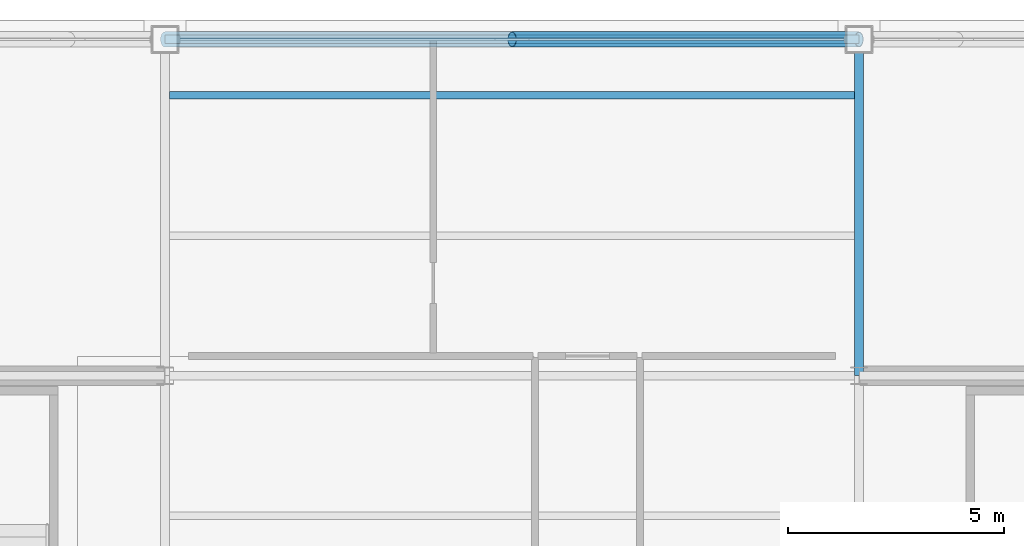
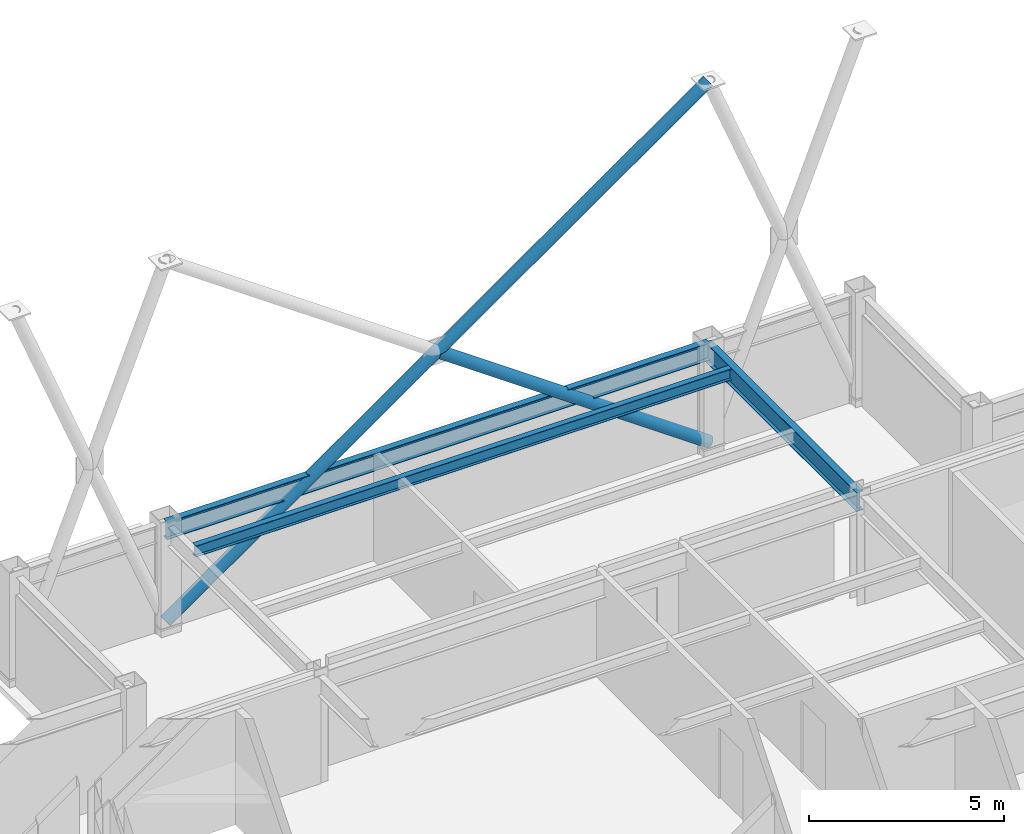
# One storey, part 17 of 24: 3 beams, 3 members, 1 element without a shape of its own.
"""IFC4 building model written with IfcOpenShell, lengths in metres."""

from ifc_helpers import new_model, si_unit, direction, frame, origin, origin_2d, place, context, subcontext, project, spatial, hollow_rectangle, hollow_circle, i_section, extrude, material, layer, layer_set, material_profile, profile_set, type_object, element, aggregate, save


model = new_model("IFC4")

# Units and contexts
model_context = context("Model", 3, precision=1e-05, world=origin(), true_north=direction((0.0, 1.0)))
body_context = subcontext(model_context, "Body", "Model", "MODEL_VIEW")
ifc_project = project(units=[si_unit("LENGTHUNIT", "METRE"), si_unit("AREAUNIT", "SQUARE_METRE"), si_unit("VOLUMEUNIT", "CUBIC_METRE"), si_unit("PLANEANGLEUNIT", "RADIAN"), si_unit("MASSUNIT", "GRAM", prefix="KILO")], contexts=[model_context])

# Site, building, storey
site_placement = place(None, origin())
site = spatial("IfcSite", under=ifc_project, at=site_placement, CompositionType="ELEMENT")
building_placement = place(site_placement, origin())
building = spatial("IfcBuilding", under=site, at=building_placement, Name="Brelmoor Portico Tower", CompositionType="ELEMENT")
storey_placement = place(building_placement, frame((0.0, 0.0, 268.800048828125)))
storey = spatial("IfcBuildingStorey", under=building, at=storey_placement, Name="L71", CompositionType="ELEMENT", Elevation=268.800048828125)

# Beams
ifc_material_1 = material(Name="Steel Q355B", Category="steel")
ifc_material_profile_1 = material_profile(ifc_material_1, i_section(OverallWidth=0.175048828125, OverallDepth=0.35009765625, WebThickness=0.007080078125, FlangeThickness=0.010986328125, at=origin_2d()), Name="HN 350x175x7x11")
ifc_profile_set_1 = profile_set([ifc_material_profile_1], Name="Steel Q355B")
beam_type_1 = type_object("IfcBeamType", Name="BM-JS-350", PredefinedType="JOIST", material=ifc_profile_set_1)
beam_1_placement = place(storey_placement, frame((-7.949951171875, 16.25, 3.224853515625), z_axis=(1.0, 0.0, 0.0), x_axis=(0.0, 1.0, 0.0)))
element("IfcBeam", 1, at=beam_1_placement, inside=storey, type_object=beam_type_1, Name="L71 Secondary Composite Joist JS-C06", PredefinedType="JOIST", context=body_context, shape_type="SweptSolid", body=[
    extrude(i_section(OverallWidth=0.175048828125, OverallDepth=0.35009765625, WebThickness=0.007080078125, FlangeThickness=0.010986328125, at=origin_2d()), origin(), (0.0, 0.0, 1.0), 15.89990234375),
])
ifc_material_profile_2 = material_profile(ifc_material_1, i_section(OverallWidth=0.199951171875, OverallDepth=0.60009765625, WebThickness=0.010986328125, FlangeThickness=0.01708984375, at=origin_2d()), Name="HN 600x200x11x17")
ifc_profile_set_2 = profile_set([ifc_material_profile_2], Name="Steel Q355B")
beam_type_2 = type_object("IfcBeamType", Name="BM-PG-600", PredefinedType="BEAM", material=ifc_profile_set_2)
beam_2_placement = place(storey_placement, frame((8.050048828125, 9.75, 3.099853515625), z_axis=(0.0, 1.0, 0.0), x_axis=(-1.0, 0.0, 0.0)))
element("IfcBeam", 2, at=beam_2_placement, inside=storey, type_object=beam_type_2, Name="L71 Primary Floor Girder PG-08", PredefinedType="BEAM", context=body_context, shape_type="SweptSolid", body=[
    extrude(i_section(OverallWidth=0.199951171875, OverallDepth=0.60009765625, WebThickness=0.010986328125, FlangeThickness=0.01708984375, at=origin_2d()), origin(), (0.0, 0.0, 1.0), 7.800048828125),
])
ifc_material_profile_3 = material_profile(ifc_material_1, i_section(OverallWidth=0.199951171875, OverallDepth=0.550048828125, WebThickness=0.010009765625, FlangeThickness=0.01611328125, at=origin_2d()), Name="HN 550x200x10x16")
ifc_profile_set_3 = profile_set([ifc_material_profile_3], Name="Steel Q355B")
beam_type_3 = type_object("IfcBeamType", Name="BM-SP-550", PredefinedType="SPANDREL", material=ifc_profile_set_3)
beam_3_placement = place(storey_placement, frame((-8.050048828125, 17.550048828125, 3.125), z_axis=(1.0, 0.0, 0.0), x_axis=(0.0, 1.0, 0.0)))
element("IfcBeam", 3, at=beam_3_placement, inside=storey, type_object=beam_type_3, Name="L71 Perimeter Spandrel Beam SP-09", PredefinedType="SPANDREL", context=body_context, shape_type="SweptSolid", body=[
    extrude(i_section(OverallWidth=0.199951171875, OverallDepth=0.550048828125, WebThickness=0.010009765625, FlangeThickness=0.01611328125, at=origin_2d()), origin(), (0.0, 0.0, 1.0), 16.10009765625),
])

# Members
ifc_material_profile_4 = material_profile(ifc_material_1, hollow_circle(Radius=0.177978515625, WallThickness=0.01611328125, at=origin_2d()), Name="CHS 356x16")
ifc_profile_set_4 = profile_set([ifc_material_profile_4], Name="Steel Q355B")
member_type_1 = type_object("IfcMemberType", Name="MB-BELT-DIAG2", PredefinedType="BRACE", material=ifc_profile_set_4)
member_1_placement = place(storey_placement, frame((-8.050048828125, 17.550048828125, 0.25), z_axis=(0.818515223471, 0.0, 0.574484837873), x_axis=(0.0, 1.0, 0.0)))
element("IfcMember", 4, at=member_1_placement, inside=storey, type_object=member_type_1, Name="L71 Continuous Mega-X Brace 159A", PredefinedType="BRACE", context=body_context, shape_type="SweptSolid", body=[
    extrude(hollow_circle(Radius=0.177978515625, WallThickness=0.01611328125, at=origin_2d()), origin(), (0.0, 0.0, 1.0), 19.669921875),
])
member_2_placement = place(storey_placement, frame((8.050048828125, 17.550048828125, 0.25), z_axis=(-0.818521059852, 0.0, 0.574476522218), x_axis=(0.0, -1.0, 0.0)))
element("IfcMember", 5, at=member_2_placement, inside=storey, type_object=member_type_1, Name="L71 Split Mega-X Brace 159B1", PredefinedType="BRACE", context=body_context, shape_type="SweptSolid", body=[
    extrude(hollow_circle(Radius=0.177978515625, WallThickness=0.01611328125, at=origin_2d()), origin(), (0.0, 0.0, 1.0), 9.8349609375),
])

# Curtain wall, member
ifc_material_2 = material(Name="Anodised Aluminium Alloy 6063-T6", Category="aluminium")
ifc_layer = layer(ifc_material_2, 0.179931640625)
ifc_layer_set = layer_set([ifc_layer], Name="Anodised Aluminium Alloy 6063-T6")
curtain_wall_type = type_object("IfcCurtainWallType", Name="CW-TOWER-Z4-XB", PredefinedType="NOTDEFINED", material=ifc_layer_set)
curtain_wall_placement = place(storey_placement, origin())
curtain_wall = element("IfcCurtainWall", 6, at=curtain_wall_placement, inside=storey, type_object=curtain_wall_type, Name="L71 Curtain Wall CW-L71-02-2", PredefinedType="NOTDEFINED")
ifc_material_profile_5 = material_profile(ifc_material_2, hollow_rectangle(XDim=0.06005859375, YDim=0.125, WallThickness=0.00341796875, at=origin_2d()), Name="ALU TRANSOM 60x125")
ifc_profile_set_5 = profile_set([ifc_material_profile_5], Name="Anodised Aluminium Alloy 6063-T6")
member_type_2 = type_object("IfcMemberType", Name="MB-CW-TRAN-125", PredefinedType="USERDEFINED", material=ifc_profile_set_5)
member_3_placement = place(storey_placement, frame((-7.739990234375, 17.550048828125, 3.33740234375), z_axis=(1.0, 0.0, 0.0), x_axis=(0.0, 1.0, 0.0)))
member_3 = element("IfcMember", 7, at=member_3_placement, type_object=member_type_2, Name="CW-L71-02-2 Transom 1-00", ObjectType="TRANSOM", PredefinedType="USERDEFINED", context=body_context, shape_type="SweptSolid", body=[
    extrude(hollow_rectangle(XDim=0.06005859375, YDim=0.125, WallThickness=0.00341796875, at=origin_2d()), origin(), (0.0, 0.0, 1.0), 15.47998046875),
])
aggregate(curtain_wall, [member_3])

save(model, "model.ifc")
